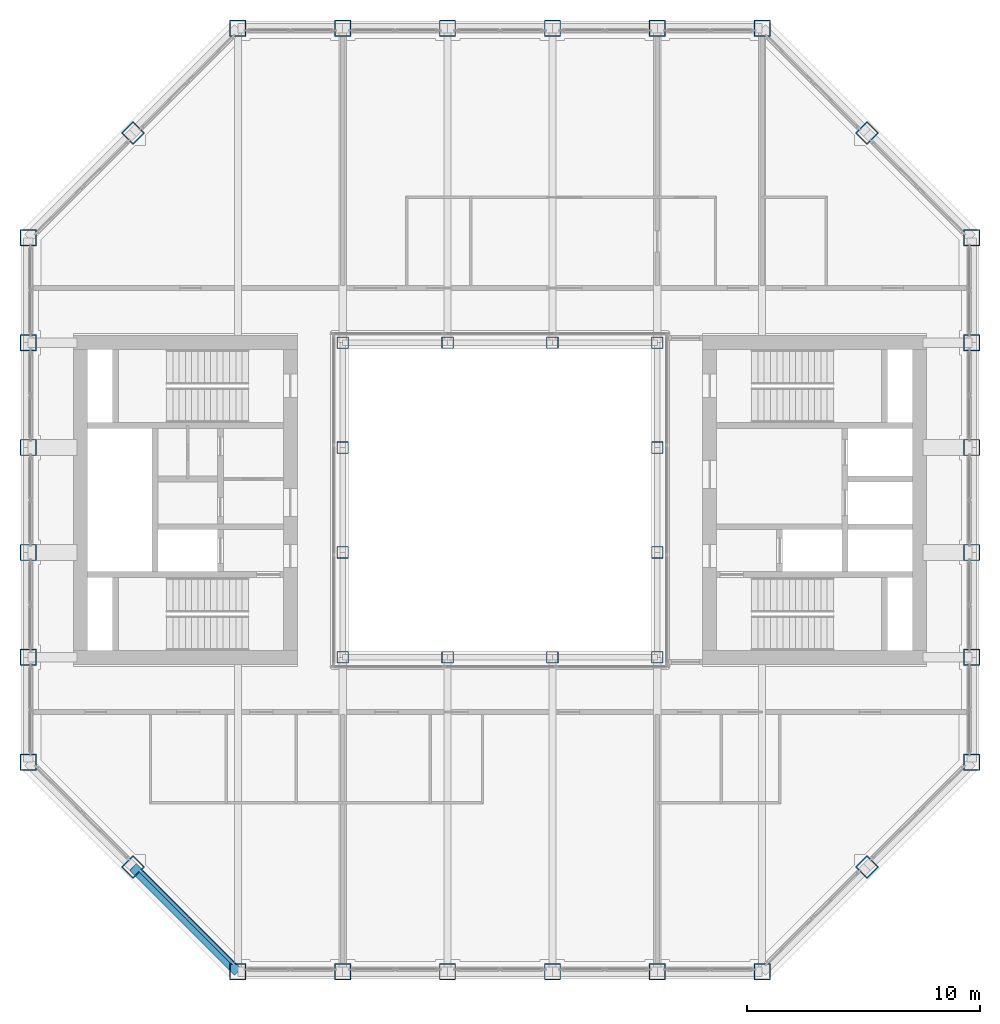
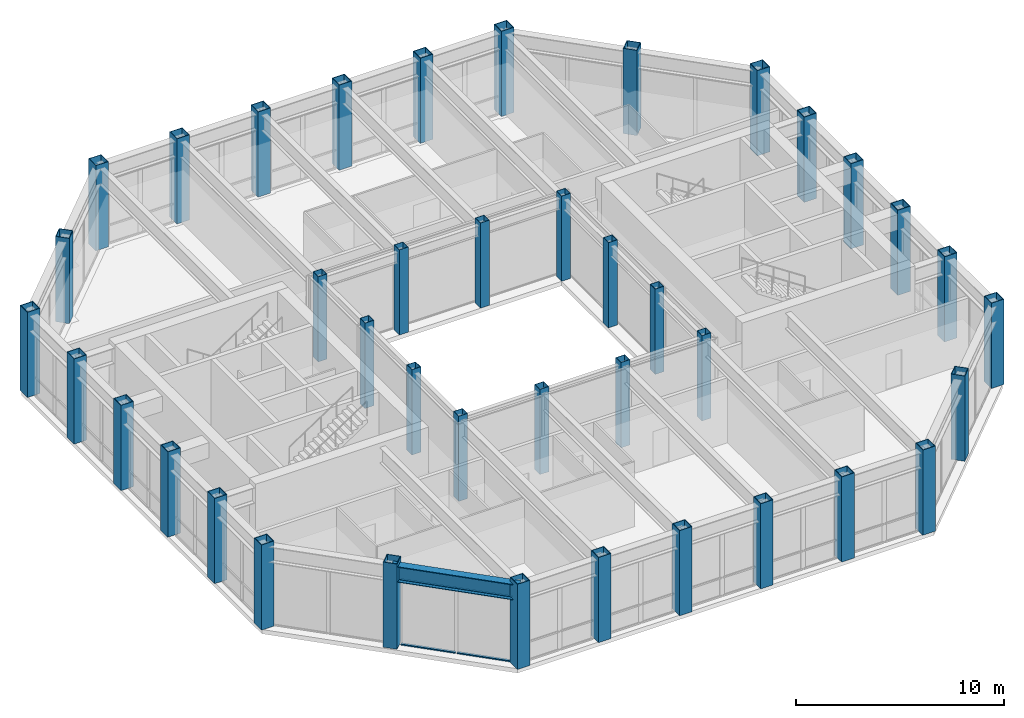
# One storey, part 1 of 15: 40 columns, 4 members, 1 beam, 1 element without a shape of its own.
"""IFC4 building model written with IfcOpenShell, lengths in metres."""

import ifcopenshell
import ifcopenshell.guid

model = None  # the IFC model being written
_history = None  # IfcOwnerHistory: only IFC2X3 demands one
_inside = {}  # id of a spatial element -> (the spatial element, [elements in it])
_under = {}  # id of a project, library or spatial element -> (it, [spatial elements below it])
_declared = {}  # id of a project -> (the project, [libraries it declares])
_typed = {}  # id of a type object -> (the type object, [elements of that type])
_made_of = {}  # id of a material, layer set ... -> (it, [elements and type objects made of it])


def new_model(schema):
    """Start an empty IFC model of exactly this schema.

    Asked for "IFC4X3", IfcOpenShell would pick the latest addendum, in which some entities
    have other attributes; the version numbers below select the first issue.
    IFC2X3 requires an IfcOwnerHistory on every rooted entity: one is made here for all.
    """
    global model, _history
    if schema == "IFC4X3":
        model = ifcopenshell.file(schema_version=(4, 3, 0, 0))
    else:
        model = ifcopenshell.file(schema=schema)
    _inside.clear()
    _under.clear()
    _declared.clear()
    _typed.clear()
    _made_of.clear()
    _history = None
    if model.schema == "IFC2X3":
        org = make("IfcOrganization", Name="unknown")
        user = make(
            "IfcPersonAndOrganization",
            ThePerson=make("IfcPerson", FamilyName="unknown"),
            TheOrganization=org,
        )
        app = make(
            "IfcApplication",
            ApplicationDeveloper=org,
            Version="unknown",
            ApplicationFullName="unknown",
            ApplicationIdentifier="unknown",
        )
        _history = make(
            "IfcOwnerHistory",
            OwningUser=user,
            OwningApplication=app,
            ChangeAction="ADDED",
            CreationDate=0,
        )
    return model


def make(cls, **values):
    """One entity of the class cls with the attributes given. An attribute that is None is left unset."""
    return model.create_entity(
        cls, **{name: value for name, value in values.items() if value is not None}
    )


def rooted(cls, **values):
    """An entity with a GlobalId (a new one), such as an element, a storey or a relation."""
    return make(cls, GlobalId=ifcopenshell.guid.new(), OwnerHistory=_history, **values)


def si_unit(unit_type, name, prefix=None):
    """IfcSIUnit, for example si_unit("LENGTHUNIT", "METRE", prefix="MILLI")."""
    return make("IfcSIUnit", UnitType=unit_type, Prefix=prefix, Name=name)


def assignment(units):
    """IfcUnitAssignment: the units of a project."""
    return None if units is None else make("IfcUnitAssignment", Units=units)


def point(xyz):
    """IfcCartesianPoint."""
    return None if xyz is None else make("IfcCartesianPoint", Coordinates=xyz)


def direction(xyz):
    """IfcDirection."""
    return None if xyz is None else make("IfcDirection", DirectionRatios=xyz)


def frame(location, z_axis=None, x_axis=None):
    """IfcAxis2Placement3D, a coordinate frame: its origin and axes. An axis left out is left unset."""
    return make(
        "IfcAxis2Placement3D",
        Location=point(location),
        Axis=direction(z_axis),
        RefDirection=direction(x_axis),
    )


def frame_2d(location, x_axis=None):
    """IfcAxis2Placement2D, a coordinate frame in the plane: its origin and x axis."""
    return make(
        "IfcAxis2Placement2D", Location=point(location), RefDirection=direction(x_axis)
    )


def origin():
    """The frame at (0, 0, 0) with its axes left unset."""
    return frame((0.0, 0.0, 0.0))


def origin_2d():
    """The frame at (0, 0) in the plane with its x axis left unset."""
    return frame_2d((0.0, 0.0))


def place(relative_to, where):
    """IfcLocalPlacement: puts the frame where relative to a parent placement (None: the world)."""
    return make(
        "IfcLocalPlacement", PlacementRelTo=relative_to, RelativePlacement=where
    )


def context(
    kind, dimensions, precision=None, world=None, true_north=None, identifier=None
):
    """IfcGeometricRepresentationContext, for example the 3D "Model" context."""
    return make(
        "IfcGeometricRepresentationContext",
        ContextIdentifier=identifier,
        ContextType=kind,
        CoordinateSpaceDimension=dimensions,
        Precision=precision,
        WorldCoordinateSystem=world,
        TrueNorth=true_north,
    )


def subcontext(parent, identifier, kind, view, scale=None):
    """IfcGeometricRepresentationSubContext, for example "Body" below "Model"."""
    return make(
        "IfcGeometricRepresentationSubContext",
        ContextIdentifier=identifier,
        ContextType=kind,
        ParentContext=parent,
        TargetScale=scale,
        TargetView=view,
    )


def project(units=None, contexts=None):
    """IfcProject with its units and contexts."""
    return rooted(
        "IfcProject",
        Name="project",
        RepresentationContexts=contexts,
        UnitsInContext=assignment(units),
    )


def spatial(cls, under=None, at=None, **own):
    """A site, building, storey or space (cls), placed at a placement, below another one or the project."""
    s = rooted(cls, ObjectPlacement=at, **own)
    if under is not None:
        _under.setdefault(under.id(), (under, []))[1].append(s)
    return s


def profile(cls, at=None, kind="AREA", **sizes):
    """A parametric profile (cls). Its sizes go by their IFC names, for example OverallWidth=200.0."""
    return make(cls, ProfileType=kind, Position=at, **sizes)


def rectangle(**sizes):
    """IfcRectangleProfileDef."""
    return profile("IfcRectangleProfileDef", **sizes)


def hollow_rectangle(**sizes):
    """IfcRectangleHollowProfileDef."""
    return profile("IfcRectangleHollowProfileDef", **sizes)


def i_section(**sizes):
    """IfcIShapeProfileDef."""
    return profile("IfcIShapeProfileDef", **sizes)


def extrude(swept, where, along, depth):
    """IfcExtrudedAreaSolid: the profile swept, set in the frame where, extruded along a direction by depth."""
    return make(
        "IfcExtrudedAreaSolid",
        SweptArea=swept,
        Position=where,
        ExtrudedDirection=direction(along),
        Depth=depth,
    )


def shape(context_of_items, identifier, shape_type, items):
    """IfcShapeRepresentation: the items that make up one representation, for example the "Body"."""
    return make(
        "IfcShapeRepresentation",
        ContextOfItems=context_of_items,
        RepresentationIdentifier=identifier,
        RepresentationType=shape_type,
        Items=items,
    )


def material(Name=None, Category=None):
    """IfcMaterial."""
    return make("IfcMaterial", Name=Name, Category=Category)


def material_profile(
    of_material, cross_section, Name=None, Category=None, Priority=None
):
    """IfcMaterialProfile: a cross section and its material."""
    return make(
        "IfcMaterialProfile",
        Name=Name,
        Material=of_material,
        Profile=cross_section,
        Priority=Priority,
        Category=Category,
    )


def profile_set(profiles, Name=None, composite=None):
    """IfcMaterialProfileSet."""
    return make(
        "IfcMaterialProfileSet",
        Name=Name,
        MaterialProfiles=profiles,
        CompositeProfile=composite,
    )


def made_of(thing, what):
    """Note that an element or type object is made of a material, layer set ...; save() writes the relation."""
    if what is not None:
        _made_of.setdefault(what.id(), (what, []))[1].append(thing)
    return thing


def type_object(cls, material=None, **own):
    """A type object (cls), such as IfcWallType, which elements share."""
    return made_of(rooted(cls, **own), material)


def element(
    cls,
    number,
    at=None,
    inside=None,
    cuts=None,
    type_object=None,
    material=None,
    context=None,
    identifier="Body",
    shape_type=None,
    held_by="IfcProductDefinitionShape",
    body=None,
    shapes=None,
    **own,
):
    """One element of the class cls, such as IfcWall. Its Tag is "e" and its number.

    at: its placement. inside: the storey or other place that contains it. cuts: it is an
    opening in that element (IfcRelVoidsElement). A single representation is given by context,
    identifier, shape_type and body (its items); several are given by shapes. held_by: the class
    of the entity that holds the representations. save() writes the other relations.
    """
    e = rooted(cls, Tag="e%d" % number, ObjectPlacement=at, **own)
    if body is not None:
        shapes = [shape(context, identifier, shape_type, body)]
    if shapes is not None:
        e.Representation = make(held_by, Representations=shapes)
    if inside is not None:
        _inside.setdefault(inside.id(), (inside, []))[1].append(e)
    if cuts is not None:
        rooted(
            "IfcRelVoidsElement", RelatingBuildingElement=cuts, RelatedOpeningElement=e
        )
    if type_object is not None:
        _typed.setdefault(type_object.id(), (type_object, []))[1].append(e)
    return made_of(e, material)


def aggregate(whole, parts):
    """IfcRelAggregates: a whole, such as a stair, and the parts it consists of."""
    return rooted("IfcRelAggregates", RelatingObject=whole, RelatedObjects=parts)


def save(model, path):
    """Write the relations noted so far, then the file.

    IfcRelAggregates (storeys below a building ...), IfcRelContainedInSpatialStructure (elements
    in a storey), IfcRelDefinesByType, IfcRelAssociatesMaterial and IfcRelDeclares: one each for
    every whole, place, type object, material and project.
    """
    for whole, parts in _under.values():
        aggregate(whole, parts)
    for where, things in _inside.values():
        rooted(
            "IfcRelContainedInSpatialStructure",
            RelatedElements=things,
            RelatingStructure=where,
        )
    for kind, things in _typed.values():
        rooted("IfcRelDefinesByType", RelatedObjects=things, RelatingType=kind)
    for what, things in _made_of.values():
        rooted("IfcRelAssociatesMaterial", RelatedObjects=things, RelatingMaterial=what)
    for by, libraries in _declared.values():
        rooted("IfcRelDeclares", RelatingContext=by, RelatedDefinitions=libraries)
    model.write(path)


model = new_model("IFC4")

# Units and contexts
model_context = context("Model", 3, precision=1e-05, world=origin(), true_north=direction((0.0, 1.0)))
body_context = subcontext(model_context, "Body", "Model", "MODEL_VIEW")
ifc_project = project(units=[si_unit("LENGTHUNIT", "METRE"), si_unit("AREAUNIT", "SQUARE_METRE"), si_unit("VOLUMEUNIT", "CUBIC_METRE"), si_unit("PLANEANGLEUNIT", "RADIAN"), si_unit("MASSUNIT", "GRAM", prefix="KILO")], contexts=[model_context])

# Site, building, storey
site_placement = place(None, origin())
site = spatial("IfcSite", under=ifc_project, at=site_placement, CompositionType="ELEMENT")
building_placement = place(site_placement, origin())
building = spatial("IfcBuilding", under=site, at=building_placement, Name="Msasa Ring Tower", CompositionType="ELEMENT")
storey_placement = place(building_placement, frame((0.0, 0.0, 257.050048828125)))
storey = spatial("IfcBuildingStorey", under=building, at=storey_placement, Name="L67", CompositionType="ELEMENT", Elevation=257.050048828125)

# Columns
ifc_material_1 = material(Name="Steel S355", Category="steel")
ifc_material_profile_1 = material_profile(ifc_material_1, hollow_rectangle(XDim=0.5, YDim=0.5, WallThickness=0.02490234375, at=origin_2d()), Name="BOX 500x500x25")
ifc_profile_set_1 = profile_set([ifc_material_profile_1], Name="Steel S355")
column_type_1 = type_object("IfcColumnType", Name="IC7 BOX 500x500x25", PredefinedType="COLUMN", material=ifc_profile_set_1)
for number, where, z_axis, x_axis, name in (
    (1, (-6.75, -6.75, 0.0), (0.0, 0.0, 1.0), (1.0, 0.0, 0.0), "Inner ring column IR-6.75-6.75 L67"),
    (2, (-6.75, -2.25, 0.0), (0.0, 0.0, 1.0), (1.0, 0.0, 0.0), "Inner ring column IR-6.75-2.25 L67"),
    (3, (-6.75, 2.25, 0.0), (0.0, 0.0, 1.0), (1.0, 0.0, 0.0), "Inner ring column IR-6.75+2.25 L67"),
    (4, (-6.75, 6.75, 0.0), (0.0, 0.0, 1.0), (1.0, 0.0, 0.0), "Inner ring column IR-6.75+6.75 L67"),
    (5, (-2.25, -6.75, 0.0), (0.0, 0.0, 1.0), (1.0, 0.0, 0.0), "Inner ring column IR-2.25-6.75 L67"),
    (6, (-2.25, 6.75, 0.0), (0.0, 0.0, 1.0), (1.0, 0.0, 0.0), "Inner ring column IR-2.25+6.75 L67"),
    (7, (2.25, -6.75, 0.0), (0.0, 0.0, 1.0), (1.0, 0.0, 0.0), "Inner ring column IR+2.25-6.75 L67"),
    (8, (2.25, 6.75, 0.0), (0.0, 0.0, 1.0), (1.0, 0.0, 0.0), "Inner ring column IR+2.25+6.75 L67"),
    (9, (6.75, -6.75, 0.0), (0.0, 0.0, 1.0), (1.0, 0.0, 0.0), "Inner ring column IR+6.75-6.75 L67"),
    (10, (6.75, -2.25, 0.0), (0.0, 0.0, 1.0), (1.0, 0.0, 0.0), "Inner ring column IR+6.75-2.25 L67"),
    (11, (6.75, 2.25, 0.0), (0.0, 0.0, 1.0), (1.0, 0.0, 0.0), "Inner ring column IR+6.75+2.25 L67"),
    (12, (6.75, 6.75, 0.0), (0.0, 0.0, 1.0), (1.0, 0.0, 0.0), "Inner ring column IR+6.75+6.75 L67"),
):
    element("IfcColumn", number, at=place(storey_placement, frame(where, z_axis=z_axis, x_axis=x_axis)), inside=storey, type_object=column_type_1, Name=name, PredefinedType="COLUMN", context=body_context, shape_type="SweptSolid", body=[
        extrude(hollow_rectangle(XDim=0.5, YDim=0.5, WallThickness=0.02490234375, at=origin_2d()), origin(), (0.0, 0.0, 1.0), 5.0),
    ])
ifc_material_2 = material(Name="Steel S355", Category="steel")
ifc_material_profile_2 = material_profile(ifc_material_2, hollow_rectangle(XDim=0.699951171875, YDim=0.699951171875, WallThickness=0.034912109375, at=origin_2d()), Name="BOX 700x700x35")
ifc_profile_set_2 = profile_set([ifc_material_profile_2], Name="Steel S355")
column_type_2 = type_object("IfcColumnType", Name="TC8 BOX 700x700x35", PredefinedType="COLUMN", material=ifc_profile_set_2)
for number, where, z_axis, x_axis, name in (
    (13, (-11.25, -20.25, 0.0), (0.0, 0.0, 1.0), (0.0, 1.0, 0.0), "Tube column S-11.25 L67"),
    (14, (-11.25, 20.25, 0.0), (0.0, 0.0, 1.0), (0.0, 1.0, 0.0), "Tube column N-11.25 L67"),
    (15, (20.25, -11.25, 0.0), (0.0, 0.0, 1.0), (1.0, 0.0, 0.0), "Tube column E-11.25 L67"),
    (16, (-20.25, -11.25, 0.0), (0.0, 0.0, 1.0), (1.0, 0.0, 0.0), "Tube column W-11.25 L67"),
    (17, (-6.75, -20.25, 0.0), (0.0, 0.0, 1.0), (0.0, 1.0, 0.0), "Tube column S-6.75 L67"),
    (18, (-6.75, 20.25, 0.0), (0.0, 0.0, 1.0), (0.0, 1.0, 0.0), "Tube column N-6.75 L67"),
    (19, (20.25, -6.75, 0.0), (0.0, 0.0, 1.0), (1.0, 0.0, 0.0), "Tube column E-6.75 L67"),
    (20, (-20.25, -6.75, 0.0), (0.0, 0.0, 1.0), (1.0, 0.0, 0.0), "Tube column W-6.75 L67"),
    (21, (-2.25, -20.25, 0.0), (0.0, 0.0, 1.0), (0.0, 1.0, 0.0), "Tube column S-2.25 L67"),
    (22, (-2.25, 20.25, 0.0), (0.0, 0.0, 1.0), (0.0, 1.0, 0.0), "Tube column N-2.25 L67"),
    (23, (20.25, -2.25, 0.0), (0.0, 0.0, 1.0), (1.0, 0.0, 0.0), "Tube column E-2.25 L67"),
    (24, (-20.25, -2.25, 0.0), (0.0, 0.0, 1.0), (1.0, 0.0, 0.0), "Tube column W-2.25 L67"),
    (25, (2.25, -20.25, 0.0), (0.0, 0.0, 1.0), (0.0, 1.0, 0.0), "Tube column S+2.25 L67"),
    (26, (2.25, 20.25, 0.0), (0.0, 0.0, 1.0), (0.0, 1.0, 0.0), "Tube column N+2.25 L67"),
    (27, (20.25, 2.25, 0.0), (0.0, 0.0, 1.0), (1.0, 0.0, 0.0), "Tube column E+2.25 L67"),
    (28, (-20.25, 2.25, 0.0), (0.0, 0.0, 1.0), (1.0, 0.0, 0.0), "Tube column W+2.25 L67"),
    (29, (6.75, -20.25, 0.0), (0.0, 0.0, 1.0), (0.0, 1.0, 0.0), "Tube column S+6.75 L67"),
    (30, (6.75, 20.25, 0.0), (0.0, 0.0, 1.0), (0.0, 1.0, 0.0), "Tube column N+6.75 L67"),
    (31, (20.25, 6.75, 0.0), (0.0, 0.0, 1.0), (1.0, 0.0, 0.0), "Tube column E+6.75 L67"),
    (32, (-20.25, 6.75, 0.0), (0.0, 0.0, 1.0), (1.0, 0.0, 0.0), "Tube column W+6.75 L67"),
    (33, (11.25, -20.25, 0.0), (0.0, 0.0, 1.0), (0.0, 1.0, 0.0), "Tube column S+11.25 L67"),
    (34, (11.25, 20.25, 0.0), (0.0, 0.0, 1.0), (0.0, 1.0, 0.0), "Tube column N+11.25 L67"),
    (35, (20.25, 11.25, 0.0), (0.0, 0.0, 1.0), (1.0, 0.0, 0.0), "Tube column E+11.25 L67"),
    (36, (-20.25, 11.25, 0.0), (0.0, 0.0, 1.0), (1.0, 0.0, 0.0), "Tube column W+11.25 L67"),
    (37, (15.75, -15.75, 0.0), (0.0, 0.0, 1.0), (0.707106781187, -0.707106781187, 0.0), "Tube column SE L67"),
    (38, (15.75, 15.75, 0.0), (0.0, 0.0, 1.0), (0.707106781187, 0.707106781187, 0.0), "Tube column NE L67"),
    (39, (-15.75, 15.75, 0.0), (0.0, 0.0, 1.0), (0.707106781187, -0.707106781187, 0.0), "Tube column NW L67"),
    (40, (-15.75, -15.75, 0.0), (0.0, 0.0, 1.0), (0.707106781187, 0.707106781187, 0.0), "Tube column SW L67"),
):
    element("IfcColumn", number, at=place(storey_placement, frame(where, z_axis=z_axis, x_axis=x_axis)), inside=storey, type_object=column_type_2, Name=name, PredefinedType="COLUMN", context=body_context, shape_type="SweptSolid", body=[
        extrude(hollow_rectangle(XDim=0.699951171875, YDim=0.699951171875, WallThickness=0.034912109375, at=origin_2d()), origin(), (0.0, 0.0, 1.0), 5.0),
    ])

# Curtain wall, members
ifc_material_3 = material(Name="Aluminium curtain wall with clear glass", Category="aluminium")
curtain_wall_type = type_object("IfcCurtainWallType", Name="CW-C CHAMFER CORNER CURTAIN WALL", PredefinedType="NOTDEFINED", material=ifc_material_3)
curtain_wall_placement = place(storey_placement, origin())
curtain_wall = element("IfcCurtainWall", 41, at=curtain_wall_placement, inside=storey, type_object=curtain_wall_type, Name="Chamfer corner curtain wall SW L67", PredefinedType="NOTDEFINED")
ifc_material_4 = material(Name="Aluminium transom", Category="aluminium")
ifc_material_profile_3 = material_profile(ifc_material_4, rectangle(XDim=0.139892578125, YDim=0.06494140625, at=origin_2d()), Name="AL 65x140")
ifc_profile_set_3 = profile_set([ifc_material_profile_3], Name="Aluminium transom")
member_type = type_object("IfcMemberType", Name="CW-C TRANSOM 65x140", PredefinedType="USERDEFINED", material=ifc_profile_set_3)
member_1_placement = place(storey_placement, frame((-15.38232421875, -15.976318359375, 0.032470703125), z_axis=(0.707106781187, -0.707106781187, 0.0), x_axis=(0.707106781187, 0.707106781187, 0.0)))
member_1 = element("IfcMember", 42, at=member_1_placement, type_object=member_type, Name="CW-C transom 1.1", ObjectType="TRANSOM", PredefinedType="USERDEFINED", context=body_context, shape_type="SweptSolid", body=[
    extrude(rectangle(XDim=0.139892578125, YDim=0.06494140625, at=origin_2d()), origin(), (0.0, 0.0, 1.0), 2.729248046875),
])
member_2_placement = place(storey_placement, frame((-15.38232421875, -15.976318359375, 3.79638671875), z_axis=(0.707106781187, -0.707106781187, 0.0), x_axis=(0.707106781187, 0.707106781187, 0.0)))
member_2 = element("IfcMember", 43, at=member_2_placement, type_object=member_type, Name="CW-C transom 1.2", ObjectType="TRANSOM", PredefinedType="USERDEFINED", context=body_context, shape_type="SweptSolid", body=[
    extrude(rectangle(XDim=0.139892578125, YDim=0.06494140625, at=origin_2d()), origin(), (0.0, 0.0, 1.0), 2.729248046875),
])
member_3_placement = place(storey_placement, frame((-13.40625, -17.952392578125, 0.032470703125), z_axis=(0.707106781187, -0.707106781187, 0.0), x_axis=(0.707106781187, 0.707106781187, 0.0)))
member_3 = element("IfcMember", 44, at=member_3_placement, type_object=member_type, Name="CW-C transom 2.1", ObjectType="TRANSOM", PredefinedType="USERDEFINED", context=body_context, shape_type="SweptSolid", body=[
    extrude(rectangle(XDim=0.139892578125, YDim=0.06494140625, at=origin_2d()), origin(), (0.0, 0.0, 1.0), 2.729248046875),
])
member_4_placement = place(storey_placement, frame((-13.40625, -17.952392578125, 3.79638671875), z_axis=(0.707106781187, -0.707106781187, 0.0), x_axis=(0.707106781187, 0.707106781187, 0.0)))
member_4 = element("IfcMember", 45, at=member_4_placement, type_object=member_type, Name="CW-C transom 2.2", ObjectType="TRANSOM", PredefinedType="USERDEFINED", context=body_context, shape_type="SweptSolid", body=[
    extrude(rectangle(XDim=0.139892578125, YDim=0.06494140625, at=origin_2d()), origin(), (0.0, 0.0, 1.0), 2.729248046875),
])
aggregate(curtain_wall, [member_1, member_2, member_3, member_4])

# Beam
ifc_material_5 = material(Name="Steel S355", Category="steel")
ifc_material_profile_4 = material_profile(ifc_material_5, i_section(OverallWidth=0.42041015625, OverallDepth=0.9208984375, WebThickness=0.021484375, FlangeThickness=0.03662109375, FilletRadius=0.024169921875, at=origin_2d()), Name="UB 914x419x388")
ifc_profile_set_4 = profile_set([ifc_material_profile_4], Name="Steel S355")
beam_type = type_object("IfcBeamType", Name="SB1 UB 914x419x388", PredefinedType="SPANDREL", material=ifc_profile_set_4)
beam_placement = place(storey_placement, frame((-15.75, -15.75, 4.28955078125), z_axis=(0.707106781187, -0.707106781187, 0.0), x_axis=(0.707106781187, 0.707106781187, 0.0)))
element("IfcBeam", 46, at=beam_placement, inside=storey, type_object=beam_type, Name="Spandrel SW to S-11.25 under L68", PredefinedType="SPANDREL", context=body_context, shape_type="SweptSolid", body=[
    extrude(i_section(OverallWidth=0.42041015625, OverallDepth=0.9208984375, WebThickness=0.021484375, FlangeThickness=0.03662109375, FilletRadius=0.024169921875, at=origin_2d()), origin(), (0.0, 0.0, 1.0), 6.364013671875),
])

save(model, "model.ifc")
